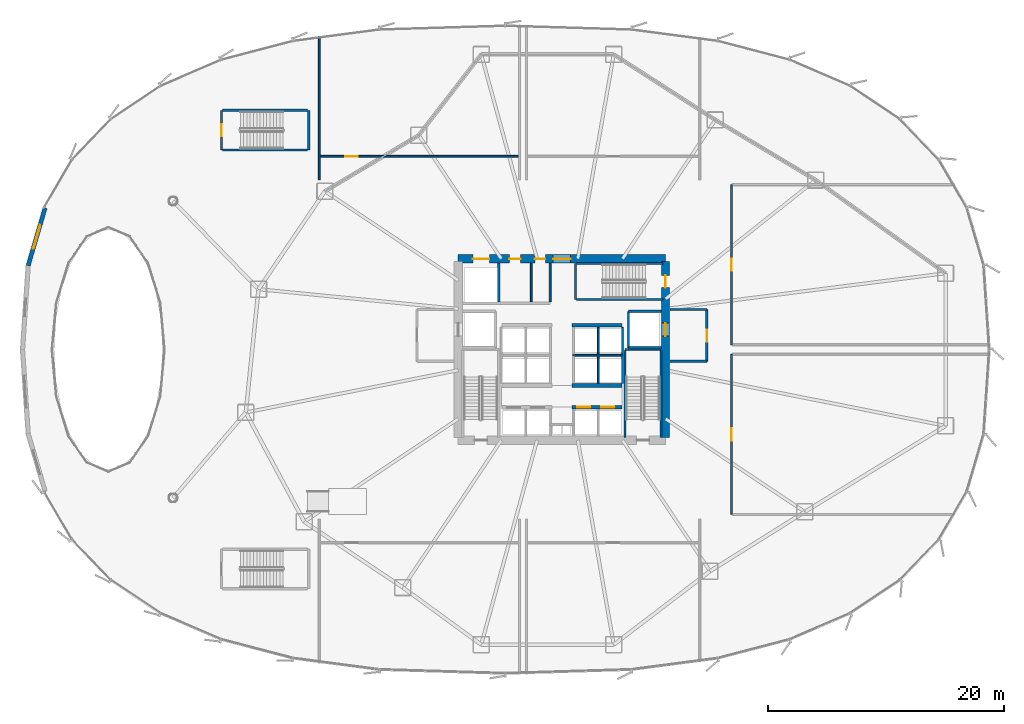
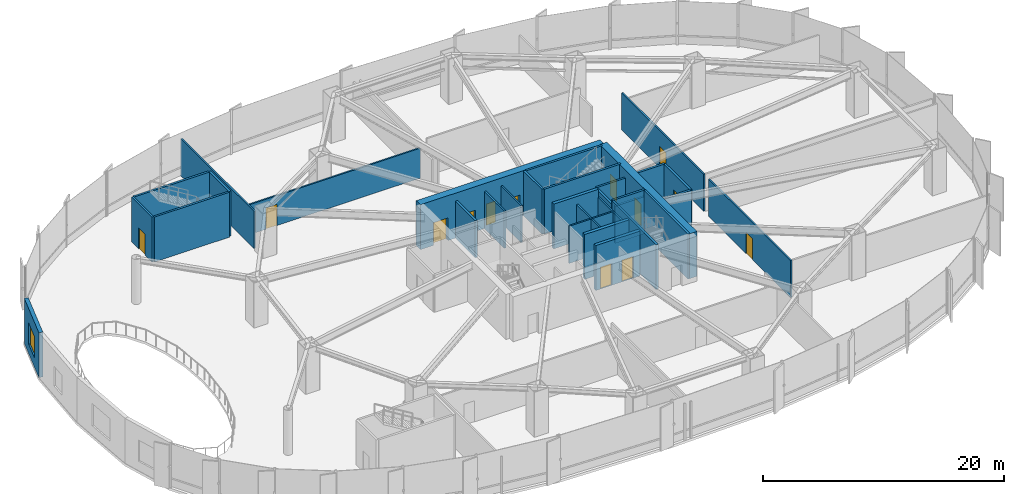
# One storey, part 25 of 34: 34 walls, 13 doors, 1 window, 14 openings.
"""IFC4 building model written with IfcOpenShell, lengths in metres."""

from ifc_helpers import new_model, si_unit, direction, frame, frame_2d, origin, place, context, subcontext, project, spatial, rectangle, extrude, source, transform, mapped, material, layer, layer_set, type_object, element, fill, save


model = new_model("IFC4")

# Units and contexts
model_context = context("Model", 3, precision=1e-05, world=origin(), true_north=direction((0.0, 1.0)))
body_context = subcontext(model_context, "Body", "Model", "MODEL_VIEW")
ifc_project = project(units=[si_unit("LENGTHUNIT", "METRE"), si_unit("AREAUNIT", "SQUARE_METRE"), si_unit("VOLUMEUNIT", "CUBIC_METRE"), si_unit("PLANEANGLEUNIT", "RADIAN"), si_unit("MASSUNIT", "GRAM", prefix="KILO"), si_unit("THERMODYNAMICTEMPERATUREUNIT", "KELVIN")], contexts=[model_context])

# Site, building, storey
site_placement = place(None, origin())
site = spatial("IfcSite", under=ifc_project, at=site_placement, CompositionType="ELEMENT")
building_placement = place(site_placement, origin())
building = spatial("IfcBuilding", under=site, at=building_placement, Name="Kethvar Cultural Tower", CompositionType="ELEMENT")
storey_placement = place(building_placement, frame((0.0, 0.0, 5.199951171875)))
storey = spatial("IfcBuildingStorey", under=building, at=storey_placement, Name="L01", CompositionType="ELEMENT", Elevation=5.199951171875)

# Wall, openings, doors
ifc_material_1 = material(Name="Concrete C60/75", Category="concrete")
ifc_layer_1 = layer(ifc_material_1, 0.699951171875, Name="Concrete C60/75", Category="concrete")
ifc_layer_set_1 = layer_set([ifc_layer_1], Name="Concrete C60/75 (700 mm)")
wall_type_1 = type_object("IfcWallType", Name="WL-CORE-700", PredefinedType="SHEAR", material=ifc_layer_set_1)
wall_1_placement = place(storey_placement, frame((55.60009765625, 35.5, 0.0), z_axis=(0.0, 0.0, 1.0), x_axis=(-1.0, 0.0, 0.0)))
wall_1 = element("IfcWall", 1, at=wall_1_placement, inside=storey, type_object=wall_type_1, Name="L01 Core Shear Wall N", PredefinedType="SHEAR", context=body_context, shape_type="SweptSolid", body=[
    extrude(rectangle(XDim=17.60009765625, YDim=0.699951171875, at=frame_2d((8.800048828125, 0.0))), origin(), (0.0, 0.0, 1.0), 4.550048828125),
])
opening_1_placement = place(wall_1_placement, frame((8.050048828125, 0.0, 0.0)))
opening_1 = element("IfcOpeningElement", 2, at=opening_1_placement, cuts=wall_1, Name="Opening D-L01-LN", PredefinedType="OPENING", context=body_context, shape_type="SweptSolid", body=[
    extrude(rectangle(XDim=1.5, YDim=2.199951171875, at=frame_2d((0.75, 1.10009765625))), frame((0.0, 0.35986328125, 0.0), z_axis=(0.0, -1.0, 0.0), x_axis=(1.0, 0.0, 0.0)), (0.0, 0.0, 1.0), 0.719970703125),
])
opening_2_placement = place(wall_1_placement, frame((14.949951171875, 0.0, 0.0)))
opening_2 = element("IfcOpeningElement", 3, at=opening_2_placement, cuts=wall_1, Name="Opening LD-G1", PredefinedType="OPENING", context=body_context, shape_type="SweptSolid", body=[
    extrude(rectangle(XDim=1.39990234375, YDim=2.300048828125, at=frame_2d((0.699951171875, 1.14990234375))), frame((0.0, 0.35986328125, 0.0), z_axis=(0.0, -1.0, 0.0), x_axis=(1.0, 0.0, 0.0)), (0.0, 0.0, 1.0), 0.719970703125),
])
opening_3_placement = place(wall_1_placement, frame((12.300048828125, 0.0, 0.0)))
opening_3 = element("IfcOpeningElement", 4, at=opening_3_placement, cuts=wall_1, Name="Opening D-L01-W1", PredefinedType="OPENING", context=body_context, shape_type="SweptSolid", body=[
    extrude(rectangle(XDim=0.949951171875, YDim=2.14990234375, at=frame_2d((0.47509765625, 1.074951171875))), frame((0.0, 0.35986328125, 0.0), z_axis=(0.0, -1.0, 0.0), x_axis=(1.0, 0.0, 0.0)), (0.0, 0.0, 1.0), 0.719970703125),
])
opening_4_placement = place(wall_1_placement, frame((10.199951171875, 0.0, 0.0)))
opening_4 = element("IfcOpeningElement", 5, at=opening_4_placement, cuts=wall_1, Name="Opening D-L01-W2", PredefinedType="OPENING", context=body_context, shape_type="SweptSolid", body=[
    extrude(rectangle(XDim=0.89990234375, YDim=2.14990234375, at=frame_2d((0.449951171875, 1.074951171875))), frame((0.0, 0.35986328125, 0.0), z_axis=(0.0, -1.0, 0.0), x_axis=(1.0, 0.0, 0.0)), (0.0, 0.0, 1.0), 0.719970703125),
])
ifc_material_2 = material(Name="Architectural Oak Timber", Category="wood")
door_type_1 = type_object("IfcDoorType", Name="DR-DBL-FD60-1500", OperationType="DOUBLE_DOOR_SINGLE_SWING", PredefinedType="DOOR", material=ifc_material_2)
shared_shape_1 = source(origin(), body_context, "Body", "SweptSolid", [
    extrude(rectangle(XDim=1.5, YDim=2.199951171875, at=frame_2d((0.75, 1.10009765625))), frame((0.0, 0.02490234375, 0.0), z_axis=(0.0, -1.0, 0.0), x_axis=(1.0, 0.0, 0.0)), (0.0, 0.0, 1.0), 0.050048828125),
])
door_1_placement = place(opening_1_placement, origin())
door_1 = element("IfcDoor", 6, at=door_1_placement, inside=storey, type_object=door_type_1, Name="L01 Lift Lobby Concourse Door", OperationType="DOUBLE_DOOR_SINGLE_SWING", OverallHeight=2.199951171875, OverallWidth=1.5, PredefinedType="DOOR", context=body_context, shape_type="MappedRepresentation", body=[
    mapped(shared_shape_1, transform((0.0, 0.0, 0.0), scale=1.0)),
])
fill(opening_1, door_1)
ifc_material_3 = material(Name="Steel S355J2", Category="steel")
door_type_2 = type_object("IfcDoorType", Name="DR-LIFT-SLIDE-1400", OperationType="NOTDEFINED", PredefinedType="DOOR", material=ifc_material_3)
shared_shape_2 = source(origin(), body_context, "Body", "SweptSolid", [
    extrude(rectangle(XDim=1.39990234375, YDim=2.300048828125, at=frame_2d((0.699951171875, 1.14990234375))), frame((0.0, 0.02490234375, 0.0), z_axis=(0.0, -1.0, 0.0), x_axis=(1.0, 0.0, 0.0)), (0.0, 0.0, 1.0), 0.050048828125),
])
door_2_placement = place(opening_2_placement, origin())
door_2 = element("IfcDoor", 7, at=door_2_placement, inside=storey, type_object=door_type_2, Name="L01 Goods Lift Landing Door", OperationType="SLIDING_TO_RIGHT", OverallHeight=2.300048828125, OverallWidth=1.39990234375, PredefinedType="DOOR", context=body_context, shape_type="MappedRepresentation", body=[
    mapped(shared_shape_2, transform((0.0, 0.0, 0.0), scale=1.0)),
])
fill(opening_2, door_2)
door_type_3 = type_object("IfcDoorType", Name="DR-FD30-950", OperationType="NOTDEFINED", PredefinedType="DOOR", material=ifc_material_2)
shared_shape_3 = source(origin(), body_context, "Body", "SweptSolid", [
    extrude(rectangle(XDim=0.949951171875, YDim=2.14990234375, at=frame_2d((0.47509765625, 1.074951171875))), frame((0.0, 0.02490234375, 0.0), z_axis=(0.0, -1.0, 0.0), x_axis=(1.0, 0.0, 0.0)), (0.0, 0.0, 1.0), 0.050048828125),
])
door_3_placement = place(opening_3_placement, origin())
door_3 = element("IfcDoor", 8, at=door_3_placement, inside=storey, type_object=door_type_3, Name="L01 Public Washroom Door", OperationType="SINGLE_SWING_LEFT", OverallHeight=2.14990234375, OverallWidth=0.949951171875, PredefinedType="DOOR", context=body_context, shape_type="MappedRepresentation", body=[
    mapped(shared_shape_3, transform((0.0, 0.0, 0.0), scale=1.0)),
])
fill(opening_3, door_3)
door_type_4 = type_object("IfcDoorType", Name="DR-FD30-900", OperationType="NOTDEFINED", PredefinedType="DOOR", material=ifc_material_2)
shared_shape_4 = source(origin(), body_context, "Body", "SweptSolid", [
    extrude(rectangle(XDim=0.89990234375, YDim=2.14990234375, at=frame_2d((0.449951171875, 1.074951171875))), frame((0.0, 0.02490234375, 0.0), z_axis=(0.0, -1.0, 0.0), x_axis=(1.0, 0.0, 0.0)), (0.0, 0.0, 1.0), 0.050048828125),
])
door_4_placement = place(opening_4_placement, origin())
door_4 = element("IfcDoor", 9, at=door_4_placement, inside=storey, type_object=door_type_4, Name="L01 Accessible Washroom Door", OperationType="SINGLE_SWING_RIGHT", OverallHeight=2.14990234375, OverallWidth=0.89990234375, PredefinedType="DOOR", context=body_context, shape_type="MappedRepresentation", body=[
    mapped(shared_shape_4, transform((0.0, 0.0, 0.0), scale=1.0)),
])
fill(opening_4, door_4)

wall_2_placement = place(storey_placement, frame((55.60009765625, 20.340087890625, 0.0), z_axis=(0.0, 0.0, 1.0), x_axis=(0.0, 1.0, 0.0)))
wall_2 = element("IfcWall", 10, at=wall_2_placement, inside=storey, type_object=wall_type_1, Name="L01 Core Shear Wall E", PredefinedType="SHEAR", context=body_context, shape_type="SweptSolid", body=[
    extrude(rectangle(XDim=14.919921875, YDim=0.699951171875, at=frame_2d((7.4599609375, 0.0))), origin(), (0.0, 0.0, 1.0), 4.550048828125),
])
opening_5_placement = place(wall_2_placement, frame((12.7099609375, 0.0, 0.0)))
opening_5 = element("IfcOpeningElement", 11, at=opening_5_placement, cuts=wall_2, Name="Opening D-L01-S3", PredefinedType="OPENING", context=body_context, shape_type="SweptSolid", body=[
    extrude(rectangle(XDim=1.050048828125, YDim=2.14990234375, at=frame_2d((0.52490234375, 1.074951171875))), frame((0.0, 0.35986328125, 0.0), z_axis=(0.0, -1.0, 0.0), x_axis=(1.0, 0.0, 0.0)), (0.0, 0.0, 1.0), 0.719970703125),
])
opening_6_placement = place(wall_2_placement, frame((8.610107421875, 0.0, 0.0)))
opening_6 = element("IfcOpeningElement", 12, at=opening_6_placement, cuts=wall_2, Name="Opening LD-2", PredefinedType="OPENING", context=body_context, shape_type="SweptSolid", body=[
    extrude(rectangle(XDim=1.10009765625, YDim=2.199951171875, at=frame_2d((0.550048828125, 1.10009765625))), frame((0.0, 0.35986328125, 0.0), z_axis=(0.0, -1.0, 0.0), x_axis=(1.0, 0.0, 0.0)), (0.0, 0.0, 1.0), 0.719970703125),
])
door_type_5 = type_object("IfcDoorType", Name="DR-FD60-1050", OperationType="NOTDEFINED", PredefinedType="DOOR", material=ifc_material_3)
shared_shape_5 = source(origin(), body_context, "Body", "SweptSolid", [
    extrude(rectangle(XDim=1.050048828125, YDim=2.14990234375, at=frame_2d((0.52490234375, 1.074951171875))), frame((0.0, 0.02490234375, 0.0), z_axis=(0.0, -1.0, 0.0), x_axis=(1.0, 0.0, 0.0)), (0.0, 0.0, 1.0), 0.050048828125),
])
door_5_placement = place(opening_5_placement, origin())
door_5 = element("IfcDoor", 13, at=door_5_placement, inside=storey, type_object=door_type_5, Name="L01 Exit Stair 3 Door", OperationType="SINGLE_SWING_LEFT", OverallHeight=2.14990234375, OverallWidth=1.050048828125, PredefinedType="DOOR", context=body_context, shape_type="MappedRepresentation", body=[
    mapped(shared_shape_5, transform((0.0, 0.0, 0.0), scale=1.0)),
])
fill(opening_5, door_5)
door_type_6 = type_object("IfcDoorType", Name="DR-LIFT-SLIDE-1100", OperationType="NOTDEFINED", PredefinedType="DOOR", material=ifc_material_3)
shared_shape_6 = source(origin(), body_context, "Body", "SweptSolid", [
    extrude(rectangle(XDim=1.10009765625, YDim=2.199951171875, at=frame_2d((0.550048828125, 1.10009765625))), frame((0.0, 0.02490234375, 0.0), z_axis=(0.0, -1.0, 0.0), x_axis=(1.0, 0.0, 0.0)), (0.0, 0.0, 1.0), 0.050048828125),
])
door_6_placement = place(opening_6_placement, origin())
door_6 = element("IfcDoor", 14, at=door_6_placement, inside=storey, type_object=door_type_6, Name="L01 Firefighting Lift Landing Door FFL-02", OperationType="SLIDING_TO_RIGHT", OverallHeight=2.199951171875, OverallWidth=1.10009765625, PredefinedType="DOOR", context=body_context, shape_type="MappedRepresentation", body=[
    mapped(shared_shape_6, transform((0.0, 0.0, 0.0), scale=1.0)),
])
fill(opening_6, door_6)

# Wall, opening, window
ifc_material_4 = material(Name="Concrete C40/50", Category="concrete")
ifc_layer_2 = layer(ifc_material_4, 0.35009765625, Name="Concrete C40/50", Category="concrete")
ifc_layer_set_2 = layer_set([ifc_layer_2], Name="Concrete C40/50 (350 mm)")
wall_type_2 = type_object("IfcWallType", Name="WL-EXT-PORTAL-350", PredefinedType="SOLIDWALL", material=ifc_layer_set_2)
wall_3_placement = place(storey_placement, frame((1.493408203125, 34.91650390625, 0.0), z_axis=(0.0, 0.0, 1.0), x_axis=(0.281735210535, 0.959492194416, 0.0)))
wall_3 = element("IfcWall", 15, at=wall_3_placement, inside=storey, type_object=wall_type_2, Name="L01 Exterior Portal Wall 17", PredefinedType="SOLIDWALL", context=body_context, shape_type="SweptSolid", body=[
    extrude(rectangle(XDim=5.12060546875, YDim=0.35009765625, at=frame_2d((2.560302734375, 0.0))), origin(), (0.0, 0.0, 1.0), 4.550048828125),
])
opening_7_placement = place(wall_3_placement, frame((1.51025390625, 0.0, 0.949951171875)))
opening_7 = element("IfcOpeningElement", 16, at=opening_7_placement, cuts=wall_3, Name="Opening W-02", PredefinedType="OPENING", context=body_context, shape_type="SweptSolid", body=[
    extrude(rectangle(XDim=2.10009765625, YDim=2.14990234375, at=frame_2d((1.050048828125, 1.074951171875))), frame((0.0, 0.18505859375, 0.0), z_axis=(0.0, -1.0, 0.0), x_axis=(1.0, 0.0, 0.0)), (0.0, 0.0, 1.0), 0.3701171875),
])
ifc_material_5 = material(Name="Insulated Low-E Solar Glass", Category="glass")
window_type = type_object("IfcWindowType", Name="WN-POD-2100", PartitioningType="SINGLE_PANEL", PredefinedType="WINDOW", material=ifc_material_5)
shared_shape_7 = source(origin(), body_context, "Body", "SweptSolid", [
    extrude(rectangle(XDim=2.10009765625, YDim=2.14990234375, at=frame_2d((1.050048828125, 1.074951171875))), frame((0.0, 0.030029296875, 0.0), z_axis=(0.0, -1.0, 0.0), x_axis=(1.0, 0.0, 0.0)), (0.0, 0.0, 1.0), 0.06005859375),
])
window_placement = place(opening_7_placement, origin())
window = element("IfcWindow", 17, at=window_placement, inside=storey, type_object=window_type, Name="L01 Podium Window C16", OverallHeight=2.14990234375, OverallWidth=2.10009765625, PartitioningType="SINGLE_PANEL", PredefinedType="WINDOW", context=body_context, shape_type="MappedRepresentation", body=[
    mapped(shared_shape_7, transform((0.0, 0.0, 0.0), scale=1.0)),
])
fill(opening_7, window)

# Walls
ifc_material_6 = material(Name="Gypsum Fireboard Partition")
ifc_layer_3 = layer(ifc_material_6, 0.14990234375, Name="Gypsum Fireboard Partition")
ifc_layer_set_3 = layer_set([ifc_layer_3], Name="Gypsum Fireboard Partition (150 mm)")
wall_type_3 = type_object("IfcWallType", Name="WL-FIRE-150", PredefinedType="PARTITIONING", material=ifc_layer_set_3)
wall_4_placement = place(storey_placement, frame((47.699951171875, 27.324951171875, 0.0), z_axis=(0.0, 0.0, 1.0), x_axis=(1.0, 0.0, 0.0)))
element("IfcWall", 18, at=wall_4_placement, inside=storey, type_object=wall_type_3, Name="L01 Mid-High Lift Shaft Back Wall E", PredefinedType="PARTITIONING", context=body_context, shape_type="SweptSolid", body=[
    extrude(rectangle(XDim=4.320068359375, YDim=0.14990234375, at=frame_2d((2.16015625, 0.0))), origin(), (0.0, 0.0, 1.0), 3.762939453125),
])
for number, where, z_axis, x_axis, name in (
    (19, (49.875, 24.919921875, 0.0), (0.0, 0.0, 1.0), (0.0, 1.0, 0.0), "L01 Mid-Rise Lift Shaft Divider E"),
    (20, (51.949951171875, 24.919921875, 0.0), (0.0, 0.0, 1.0), (0.0, 1.0, 0.0), "L01 Mid-Rise Lift Shaft Outer Wall E"),
):
    element("IfcWall", number, at=place(storey_placement, frame(where, z_axis=z_axis, x_axis=x_axis)), inside=storey, type_object=wall_type_3, Name=name, PredefinedType="PARTITIONING", context=body_context, shape_type="SweptSolid", body=[
        extrude(rectangle(XDim=2.320068359375, YDim=0.14990234375, at=frame_2d((1.16015625, 0.0))), origin(), (0.0, 0.0, 1.0), 3.762939453125),
    ])
for number, where, z_axis, x_axis, name in (
    (21, (49.875, 27.409912109375, 0.0), (0.0, 0.0, 1.0), (0.0, 1.0, 0.0), "L01 High-Rise Lift Shaft Divider E"),
    (22, (51.949951171875, 27.409912109375, 0.0), (0.0, 0.0, 1.0), (0.0, 1.0, 0.0), "L01 High-Rise Lift Shaft Outer Wall E"),
):
    element("IfcWall", number, at=place(storey_placement, frame(where, z_axis=z_axis, x_axis=x_axis)), inside=storey, type_object=wall_type_3, Name=name, PredefinedType="PARTITIONING", context=body_context, shape_type="SweptSolid", body=[
        extrude(rectangle(XDim=2.27001953125, YDim=0.14990234375, at=frame_2d((1.135009765625, 0.0))), origin(), (0.0, 0.0, 1.0), 3.762939453125),
    ])
wall_5_placement = place(storey_placement, frame((45.800048828125, 31.85009765625, 0.0), z_axis=(0.0, 0.0, 1.0), x_axis=(0.0, 1.0, 0.0)))
element("IfcWall", 23, at=wall_5_placement, inside=storey, type_object=wall_type_3, Name="L01 Sanitary Spine Wall", PredefinedType="PARTITIONING", context=body_context, shape_type="SweptSolid", body=[
    extrude(rectangle(XDim=3.289794921875, YDim=0.14990234375, at=frame_2d((1.64501953125, 0.0))), origin(), (0.0, 0.0, 1.0), 3.762939453125),
])

# Wall, opening, door
wall_6_placement = place(storey_placement, frame((61.199951171875, 13.800048828125, 0.0), z_axis=(0.0, 0.0, 1.0), x_axis=(0.0, 1.0, 0.0)))
wall_6 = element("IfcWall", 24, at=wall_6_placement, inside=storey, type_object=wall_type_3, Name="L01 East Exhibition Gallery Wall", PredefinedType="PARTITIONING", context=body_context, shape_type="SweptSolid", body=[
    extrude(rectangle(XDim=13.599853515625, YDim=0.14990234375, at=frame_2d((6.7998046875, 0.0))), origin(), (0.0, 0.0, 1.0), 3.762939453125),
])
opening_8_placement = place(wall_6_placement, frame((6.27490234375, 0.0, 0.0)))
opening_8 = element("IfcOpeningElement", 25, at=opening_8_placement, cuts=wall_6, Name="Opening D-L01-P3", PredefinedType="OPENING", context=body_context, shape_type="SweptSolid", body=[
    extrude(rectangle(XDim=1.050048828125, YDim=2.14990234375, at=frame_2d((0.52490234375, 1.074951171875))), frame((0.0, 0.0849609375, 0.0), z_axis=(0.0, -1.0, 0.0), x_axis=(1.0, 0.0, 0.0)), (0.0, 0.0, 1.0), 0.169921875),
])
door_7_placement = place(opening_8_placement, origin())
door_7 = element("IfcDoor", 26, at=door_7_placement, inside=storey, type_object=door_type_5, Name="L01 East Exhibition Gallery Door", OperationType="SINGLE_SWING_RIGHT", OverallHeight=2.14990234375, OverallWidth=1.050048828125, PredefinedType="DOOR", context=body_context, shape_type="MappedRepresentation", body=[
    mapped(shared_shape_5, transform((0.0, 0.0, 0.0), scale=1.0)),
])
fill(opening_8, door_7)

wall_7_placement = place(storey_placement, frame((61.199951171875, 28.199951171875, 0.0), z_axis=(0.0, 0.0, 1.0), x_axis=(0.0, 1.0, 0.0)))
wall_7 = element("IfcWall", 27, at=wall_7_placement, inside=storey, type_object=wall_type_3, Name="L01 Northeast Prints Gallery Wall", PredefinedType="PARTITIONING", context=body_context, shape_type="SweptSolid", body=[
    extrude(rectangle(XDim=13.60009765625, YDim=0.14990234375, at=frame_2d((6.800048828125, 0.0))), origin(), (0.0, 0.0, 1.0), 3.762939453125),
])
opening_9_placement = place(wall_7_placement, frame((6.27490234375, 0.0, 0.0)))
opening_9 = element("IfcOpeningElement", 28, at=opening_9_placement, cuts=wall_7, Name="Opening D-L01-P4", PredefinedType="OPENING", context=body_context, shape_type="SweptSolid", body=[
    extrude(rectangle(XDim=1.050048828125, YDim=2.14990234375, at=frame_2d((0.52490234375, 1.074951171875))), frame((0.0, 0.0849609375, 0.0), z_axis=(0.0, -1.0, 0.0), x_axis=(1.0, 0.0, 0.0)), (0.0, 0.0, 1.0), 0.169921875),
])
door_8_placement = place(opening_9_placement, origin())
door_8 = element("IfcDoor", 29, at=door_8_placement, inside=storey, type_object=door_type_5, Name="L01 Northeast Prints Gallery Door", OperationType="SINGLE_SWING_RIGHT", OverallHeight=2.14990234375, OverallWidth=1.050048828125, PredefinedType="DOOR", context=body_context, shape_type="MappedRepresentation", body=[
    mapped(shared_shape_5, transform((0.0, 0.0, 0.0), scale=1.0)),
])
fill(opening_9, door_8)

wall_8_placement = place(storey_placement, frame((26.199951171875, 44.199951171875, 0.0), z_axis=(0.0, 0.0, 1.0), x_axis=(1.0, 0.0, 0.0)))
wall_8 = element("IfcWall", 30, at=wall_8_placement, inside=storey, type_object=wall_type_3, Name="L01 North Education Seminar Room Wall", PredefinedType="PARTITIONING", context=body_context, shape_type="SweptSolid", body=[
    extrude(rectangle(XDim=17.0, YDim=0.14990234375, at=frame_2d((8.5, 0.0))), origin(), (0.0, 0.0, 1.0), 3.030029296875),
])
opening_10_placement = place(wall_8_placement, frame((2.199951171875, 0.0, 0.0)))
opening_10 = element("IfcOpeningElement", 31, at=opening_10_placement, cuts=wall_8, Name="Opening D-L01-P5", PredefinedType="OPENING", context=body_context, shape_type="SweptSolid", body=[
    extrude(rectangle(XDim=1.050048828125, YDim=2.14990234375, at=frame_2d((0.52490234375, 1.074951171875))), frame((0.0, 0.0849609375, 0.0), z_axis=(0.0, -1.0, 0.0), x_axis=(1.0, 0.0, 0.0)), (0.0, 0.0, 1.0), 0.169921875),
])
door_9_placement = place(opening_10_placement, origin())
door_9 = element("IfcDoor", 32, at=door_9_placement, inside=storey, type_object=door_type_5, Name="L01 North Education Seminar Room Door", OperationType="SINGLE_SWING_LEFT", OverallHeight=2.14990234375, OverallWidth=1.050048828125, PredefinedType="DOOR", context=body_context, shape_type="MappedRepresentation", body=[
    mapped(shared_shape_5, transform((0.0, 0.0, 0.0), scale=1.0)),
])
fill(opening_10, door_9)

# Walls
ifc_layer_4 = layer(ifc_material_4, 0.199951171875, Name="Concrete C40/50", Category="concrete")
ifc_layer_set_4 = layer_set([ifc_layer_4], Name="Concrete C40/50 (200 mm)")
wall_type_4 = type_object("IfcWallType", Name="WL-FIRE-200", PredefinedType="PARTITIONING", material=ifc_layer_set_4)
wall_9_placement = place(storey_placement, frame((52.449951171875, 27.949951171875, 0.0), z_axis=(0.0, 0.0, 1.0), x_axis=(0.0, 1.0, 0.0)))
element("IfcWall", 33, at=wall_9_placement, inside=storey, type_object=wall_type_4, Name="L01 FFL-02 Shaft Inner Wall", PredefinedType="PARTITIONING", context=body_context, shape_type="SweptSolid", body=[
    extrude(rectangle(XDim=3.10009765625, YDim=0.199951171875, at=frame_2d((1.550048828125, 0.0))), origin(), (0.0, 0.0, 1.0), 3.762939453125),
])
for number, where, z_axis, x_axis, name in (
    (34, (52.449951171875, 27.949951171875, 0.0), (0.0, 0.0, 1.0), (1.0, 0.0, 0.0), "L01 FFL-02 Shaft South Wall"),
    (35, (52.449951171875, 31.050048828125, 0.0), (0.0, 0.0, 1.0), (1.0, 0.0, 0.0), "L01 FFL-02 Shaft North Wall"),
):
    element("IfcWall", number, at=place(storey_placement, frame(where, z_axis=z_axis, x_axis=x_axis)), inside=storey, type_object=wall_type_4, Name=name, PredefinedType="PARTITIONING", context=body_context, shape_type="SweptSolid", body=[
        extrude(rectangle(XDim=2.7900390625, YDim=0.199951171875, at=frame_2d((1.39501953125, 0.0))), origin(), (0.0, 0.0, 1.0), 3.762939453125),
    ])

# Wall, opening, door
wall_10_placement = place(storey_placement, frame((59.10009765625, 26.800048828125, 0.0), z_axis=(0.0, 0.0, 1.0), x_axis=(0.0, 1.0, 0.0)))
wall_10 = element("IfcWall", 36, at=wall_10_placement, inside=storey, type_object=wall_type_4, Name="L01 Firefighting Lobby 2 Wall", PredefinedType="PARTITIONING", context=body_context, shape_type="SweptSolid", body=[
    extrude(rectangle(XDim=4.39990234375, YDim=0.199951171875, at=frame_2d((2.199951171875, 0.0))), origin(), (0.0, 0.0, 1.0), 3.762939453125),
])
opening_11_placement = place(wall_10_placement, frame((1.64990234375, 0.0, 0.0)))
opening_11 = element("IfcOpeningElement", 37, at=opening_11_placement, cuts=wall_10, Name="Opening D-L01-F2", PredefinedType="OPENING", context=body_context, shape_type="SweptSolid", body=[
    extrude(rectangle(XDim=1.050048828125, YDim=2.14990234375, at=frame_2d((0.52490234375, 1.074951171875))), frame((0.0, 0.10986328125, 0.0), z_axis=(0.0, -1.0, 0.0), x_axis=(1.0, 0.0, 0.0)), (0.0, 0.0, 1.0), 0.219970703125),
])
door_10_placement = place(opening_11_placement, origin())
door_10 = element("IfcDoor", 38, at=door_10_placement, inside=storey, type_object=door_type_5, Name="L01 Firefighting Lobby 2 Fire Door", OperationType="SINGLE_SWING_LEFT", OverallHeight=2.14990234375, OverallWidth=1.050048828125, PredefinedType="DOOR", context=body_context, shape_type="MappedRepresentation", body=[
    mapped(shared_shape_5, transform((0.0, 0.0, 0.0), scale=1.0)),
])
fill(opening_11, door_10)

# Walls
for number, where, z_axis, x_axis, name in (
    (39, (55.9599609375, 26.800048828125, 0.0), (0.0, 0.0, 1.0), (1.0, 0.0, 0.0), "L01 FF Lobby 2 South Wall"),
    (40, (55.9599609375, 31.199951171875, 0.0), (0.0, 0.0, 1.0), (1.0, 0.0, 0.0), "L01 FF Lobby 2 North Wall"),
):
    element("IfcWall", number, at=place(storey_placement, frame(where, z_axis=z_axis, x_axis=x_axis)), inside=storey, type_object=wall_type_4, Name=name, PredefinedType="PARTITIONING", context=body_context, shape_type="SweptSolid", body=[
        extrude(rectangle(XDim=3.14013671875, YDim=0.199951171875, at=frame_2d((1.570068359375, 0.0))), origin(), (0.0, 0.0, 1.0), 3.762939453125),
    ])
wall_11_placement = place(storey_placement, frame((41.449951171875, 31.85009765625, 0.0), z_axis=(0.0, 0.0, 1.0), x_axis=(0.0, 1.0, 0.0)))
element("IfcWall", 41, at=wall_11_placement, inside=storey, type_object=wall_type_4, Name="L01 NW Core Pocket Wall", PredefinedType="PARTITIONING", context=body_context, shape_type="SweptSolid", body=[
    extrude(rectangle(XDim=3.289794921875, YDim=0.199951171875, at=frame_2d((1.64501953125, 0.0))), origin(), (0.0, 0.0, 1.0), 3.762939453125),
])
ifc_material_7 = material(Name="Gypsum Acoustic Partition")
ifc_layer_5 = layer(ifc_material_7, 0.14990234375, Name="Gypsum Acoustic Partition")
ifc_layer_set_5 = layer_set([ifc_layer_5], Name="Gypsum Acoustic Partition (150 mm)")
wall_type_5 = type_object("IfcWallType", Name="WL-PART-150", PredefinedType="PARTITIONING", material=ifc_layer_set_5)
wall_12_placement = place(storey_placement, frame((26.199951171875, 42.199951171875, 0.0), z_axis=(0.0, 0.0, 1.0), x_axis=(0.0, 1.0, 0.0)))
element("IfcWall", 42, at=wall_12_placement, inside=storey, type_object=wall_type_5, Name="L01 North Education Seminar Room Side Wall L", PredefinedType="PARTITIONING", context=body_context, shape_type="SweptSolid", body=[
    extrude(rectangle(XDim=12.20703125, YDim=0.14990234375, at=frame_2d((6.103515625, 0.0))), origin(), (0.0, 0.0, 1.0), 3.762939453125),
])
ifc_material_8 = material(Name="Moisture-Resistant Sanitary Chase Wall")
ifc_layer_6 = layer(ifc_material_8, 0.14990234375, Name="Moisture-Resistant Sanitary Chase Wall")
ifc_layer_set_6 = layer_set([ifc_layer_6], Name="Moisture-Resistant Sanitary Chase Wall (150 mm)")
wall_type_6 = type_object("IfcWallType", Name="WL-PLUMB-150", PredefinedType="PLUMBINGWALL", material=ifc_layer_set_6)
wall_13_placement = place(storey_placement, frame((44.199951171875, 31.85009765625, 0.0), z_axis=(0.0, 0.0, 1.0), x_axis=(0.0, 1.0, 0.0)))
element("IfcWall", 43, at=wall_13_placement, inside=storey, type_object=wall_type_6, Name="L01 Sanitary Plumbing Wall", PredefinedType="PLUMBINGWALL", context=body_context, shape_type="SweptSolid", body=[
    extrude(rectangle(XDim=3.289794921875, YDim=0.14990234375, at=frame_2d((1.64501953125, 0.0))), origin(), (0.0, 0.0, 1.0), 3.762939453125),
])

# Wall, openings, doors
ifc_material_9 = material(Name="Concrete C50/60", Category="concrete")
ifc_layer_7 = layer(ifc_material_9, 0.300048828125, Name="Concrete C50/60", Category="concrete")
ifc_layer_set_7 = layer_set([ifc_layer_7], Name="Concrete C50/60 (300 mm)")
wall_type_7 = type_object("IfcWallType", Name="WL-SHAFT-300", PredefinedType="SHEAR", material=ifc_layer_set_7)
wall_14_placement = place(storey_placement, frame((47.64990234375, 22.89990234375, 0.0), z_axis=(0.0, 0.0, 1.0), x_axis=(1.0, 0.0, 0.0)))
wall_14 = element("IfcWall", 44, at=wall_14_placement, inside=storey, type_object=wall_type_7, Name="L01 Core Lift Spine Wall MID1E", PredefinedType="SHEAR", context=body_context, shape_type="SweptSolid", body=[
    extrude(rectangle(XDim=4.25, YDim=0.300048828125, at=frame_2d((2.125, 0.0))), origin(), (0.0, 0.0, 1.0), 4.550048828125),
])
opening_12_placement = place(wall_14_placement, frame((0.449951171875, 0.0, 0.0)))
opening_12 = element("IfcOpeningElement", 45, at=opening_12_placement, cuts=wall_14, Name="Opening LD-L3", PredefinedType="OPENING", context=body_context, shape_type="SweptSolid", body=[
    extrude(rectangle(XDim=1.10009765625, YDim=2.199951171875, at=frame_2d((0.550048828125, 1.10009765625))), frame((0.0, 0.159912109375, 0.0), z_axis=(0.0, -1.0, 0.0), x_axis=(1.0, 0.0, 0.0)), (0.0, 0.0, 1.0), 0.320068359375),
])
opening_13_placement = place(wall_14_placement, frame((2.5, 0.0, 0.0)))
opening_13 = element("IfcOpeningElement", 46, at=opening_13_placement, cuts=wall_14, Name="Opening LD-L4", PredefinedType="OPENING", context=body_context, shape_type="SweptSolid", body=[
    extrude(rectangle(XDim=1.10009765625, YDim=2.199951171875, at=frame_2d((0.550048828125, 1.10009765625))), frame((0.0, 0.159912109375, 0.0), z_axis=(0.0, -1.0, 0.0), x_axis=(1.0, 0.0, 0.0)), (0.0, 0.0, 1.0), 0.320068359375),
])
door_11_placement = place(opening_12_placement, origin())
door_11 = element("IfcDoor", 47, at=door_11_placement, inside=storey, type_object=door_type_6, Name="L01 Low-Rise Lift Landing Door L3", OperationType="SLIDING_TO_LEFT", OverallHeight=2.199951171875, OverallWidth=1.10009765625, PredefinedType="DOOR", context=body_context, shape_type="MappedRepresentation", body=[
    mapped(shared_shape_6, transform((0.0, 0.0, 0.0), scale=1.0)),
])
fill(opening_12, door_11)
door_12_placement = place(opening_13_placement, origin())
door_12 = element("IfcDoor", 48, at=door_12_placement, inside=storey, type_object=door_type_6, Name="L01 Low-Rise Lift Landing Door L4", OperationType="SLIDING_TO_LEFT", OverallHeight=2.199951171875, OverallWidth=1.10009765625, PredefinedType="DOOR", context=body_context, shape_type="MappedRepresentation", body=[
    mapped(shared_shape_6, transform((0.0, 0.0, 0.0), scale=1.0)),
])
fill(opening_13, door_12)

# Walls
for number, where, z_axis, x_axis, name in (
    (49, (47.64990234375, 24.75, 0.0), (0.0, 0.0, 1.0), (1.0, 0.0, 0.0), "L01 Core Lift Spine Wall MID2E"),
    (50, (47.64990234375, 29.85009765625, 0.0), (0.0, 0.0, 1.0), (1.0, 0.0, 0.0), "L01 Core Lift Spine Wall MID3E"),
):
    element("IfcWall", number, at=place(storey_placement, frame(where, z_axis=z_axis, x_axis=x_axis)), inside=storey, type_object=wall_type_7, Name=name, PredefinedType="SHEAR", context=body_context, shape_type="SweptSolid", body=[
        extrude(rectangle(XDim=4.25, YDim=0.300048828125, at=frame_2d((2.125, 0.0))), origin(), (0.0, 0.0, 1.0), 4.550048828125),
    ])
ifc_layer_8 = layer(ifc_material_9, 0.199951171875, Name="Concrete C50/60", Category="concrete")
ifc_layer_set_8 = layer_set([ifc_layer_8], Name="Concrete C50/60 (200 mm)")
wall_type_8 = type_object("IfcWallType", Name="WL-STSHAFT-200", PredefinedType="SHEAR", material=ifc_layer_set_8)
wall_15_placement = place(storey_placement, frame((52.14990234375, 27.800048828125, 0.0), z_axis=(0.0, 0.0, 1.0), x_axis=(1.0, 0.0, 0.0)))
element("IfcWall", 51, at=wall_15_placement, inside=storey, type_object=wall_type_8, Name="L01 ST-02 Stair Shaft Wall FAR", PredefinedType="SHEAR", context=body_context, shape_type="SweptSolid", body=[
    extrude(rectangle(XDim=3.06005859375, YDim=0.199951171875, at=frame_2d((1.530029296875, 0.0))), origin(), (0.0, 0.0, 1.0), 4.550048828125),
])
for number, where, z_axis, x_axis, name in (
    (52, (55.2099609375, 27.699951171875, 0.0), (0.0, 0.0, 1.0), (0.0, -1.0, 0.0), "L01 ST-02 Stair Shaft Wall LEFT"),
    (53, (52.14990234375, 20.35009765625, 0.0), (0.0, 0.0, 1.0), (0.0, 1.0, 0.0), "L01 ST-02 Stair Shaft Wall RIGHT"),
):
    element("IfcWall", number, at=place(storey_placement, frame(where, z_axis=z_axis, x_axis=x_axis)), inside=storey, type_object=wall_type_8, Name=name, PredefinedType="SHEAR", context=body_context, shape_type="SweptSolid", body=[
        extrude(rectangle(XDim=7.349853515625, YDim=0.199951171875, at=frame_2d((3.6748046875, 0.0))), origin(), (0.0, 0.0, 1.0), 4.550048828125),
    ])
wall_16_placement = place(storey_placement, frame((47.949951171875, 32.050048828125, 0.0), z_axis=(0.0, 0.0, 1.0), x_axis=(0.0, 1.0, 0.0)))
element("IfcWall", 54, at=wall_16_placement, inside=storey, type_object=wall_type_8, Name="L01 ST-03 Stair Shaft Wall FAR", PredefinedType="SHEAR", context=body_context, shape_type="SweptSolid", body=[
    extrude(rectangle(XDim=3.06005859375, YDim=0.199951171875, at=frame_2d((1.530029296875, 0.0))), origin(), (0.0, 0.0, 1.0), 4.550048828125),
])
for number, where, z_axis, x_axis, name in (
    (55, (48.050048828125, 35.110107421875, 0.0), (0.0, 0.0, 1.0), (1.0, 0.0, 0.0), "L01 ST-03 Stair Shaft Wall LEFT"),
    (56, (55.39990234375, 32.050048828125, 0.0), (0.0, 0.0, 1.0), (-1.0, 0.0, 0.0), "L01 ST-03 Stair Shaft Wall RIGHT"),
):
    element("IfcWall", number, at=place(storey_placement, frame(where, z_axis=z_axis, x_axis=x_axis)), inside=storey, type_object=wall_type_8, Name=name, PredefinedType="SHEAR", context=body_context, shape_type="SweptSolid", body=[
        extrude(rectangle(XDim=7.349853515625, YDim=0.199951171875, at=frame_2d((3.6748046875, 0.0))), origin(), (0.0, 0.0, 1.0), 4.550048828125),
    ])

# Wall, opening, door
wall_17_placement = place(storey_placement, frame((17.89990234375, 44.739990234375, 0.0), z_axis=(0.0, 0.0, 1.0), x_axis=(0.0, 1.0, 0.0)))
wall_17 = element("IfcWall", 57, at=wall_17_placement, inside=storey, type_object=wall_type_8, Name="L01 ST-05 Stair Shaft Wall NEAR", PredefinedType="SHEAR", context=body_context, shape_type="SweptSolid", body=[
    extrude(rectangle(XDim=3.360107421875, YDim=0.199951171875, at=frame_2d((1.68017578125, 0.0))), origin(), (0.0, 0.0, 1.0), 4.550048828125),
])
opening_14_placement = place(wall_17_placement, frame((1.155029296875, 0.0, 0.0)))
opening_14 = element("IfcOpeningElement", 58, at=opening_14_placement, cuts=wall_17, Name="Opening D-L01-ST5", PredefinedType="OPENING", context=body_context, shape_type="SweptSolid", body=[
    extrude(rectangle(XDim=1.050048828125, YDim=2.14990234375, at=frame_2d((0.52490234375, 1.074951171875))), frame((0.0, 0.10986328125, 0.0), z_axis=(0.0, -1.0, 0.0), x_axis=(1.0, 0.0, 0.0)), (0.0, 0.0, 1.0), 0.219970703125),
])
door_13_placement = place(opening_14_placement, origin())
door_13 = element("IfcDoor", 59, at=door_13_placement, inside=storey, type_object=door_type_5, Name="L01 ST-05 Stair Landing Fire Door", OperationType="SINGLE_SWING_LEFT", OverallHeight=2.14990234375, OverallWidth=1.050048828125, PredefinedType="DOOR", context=body_context, shape_type="MappedRepresentation", body=[
    mapped(shared_shape_5, transform((0.0, 0.0, 0.0), scale=1.0)),
])
fill(opening_14, door_13)

# Walls
wall_18_placement = place(storey_placement, frame((25.300048828125, 48.10009765625, 0.0), z_axis=(0.0, 0.0, 1.0), x_axis=(0.0, -1.0, 0.0)))
element("IfcWall", 60, at=wall_18_placement, inside=storey, type_object=wall_type_8, Name="L01 ST-05 Stair Shaft Wall FAR", PredefinedType="SHEAR", context=body_context, shape_type="SweptSolid", body=[
    extrude(rectangle(XDim=3.360107421875, YDim=0.199951171875, at=frame_2d((1.68017578125, 0.0))), origin(), (0.0, 0.0, 1.0), 4.550048828125),
])
for number, where, z_axis, x_axis, name in (
    (61, (25.199951171875, 44.739990234375, 0.0), (0.0, 0.0, 1.0), (-1.0, 0.0, 0.0), "L01 ST-05 Stair Shaft Wall LEFT"),
    (62, (18.0, 48.10009765625, 0.0), (0.0, 0.0, 1.0), (1.0, 0.0, 0.0), "L01 ST-05 Stair Shaft Wall RIGHT"),
):
    element("IfcWall", number, at=place(storey_placement, frame(where, z_axis=z_axis, x_axis=x_axis)), inside=storey, type_object=wall_type_8, Name=name, PredefinedType="SHEAR", context=body_context, shape_type="SweptSolid", body=[
        extrude(rectangle(XDim=7.199951171875, YDim=0.199951171875, at=frame_2d((3.60009765625, 0.0))), origin(), (0.0, 0.0, 1.0), 4.550048828125),
    ])

save(model, "model.ifc")
